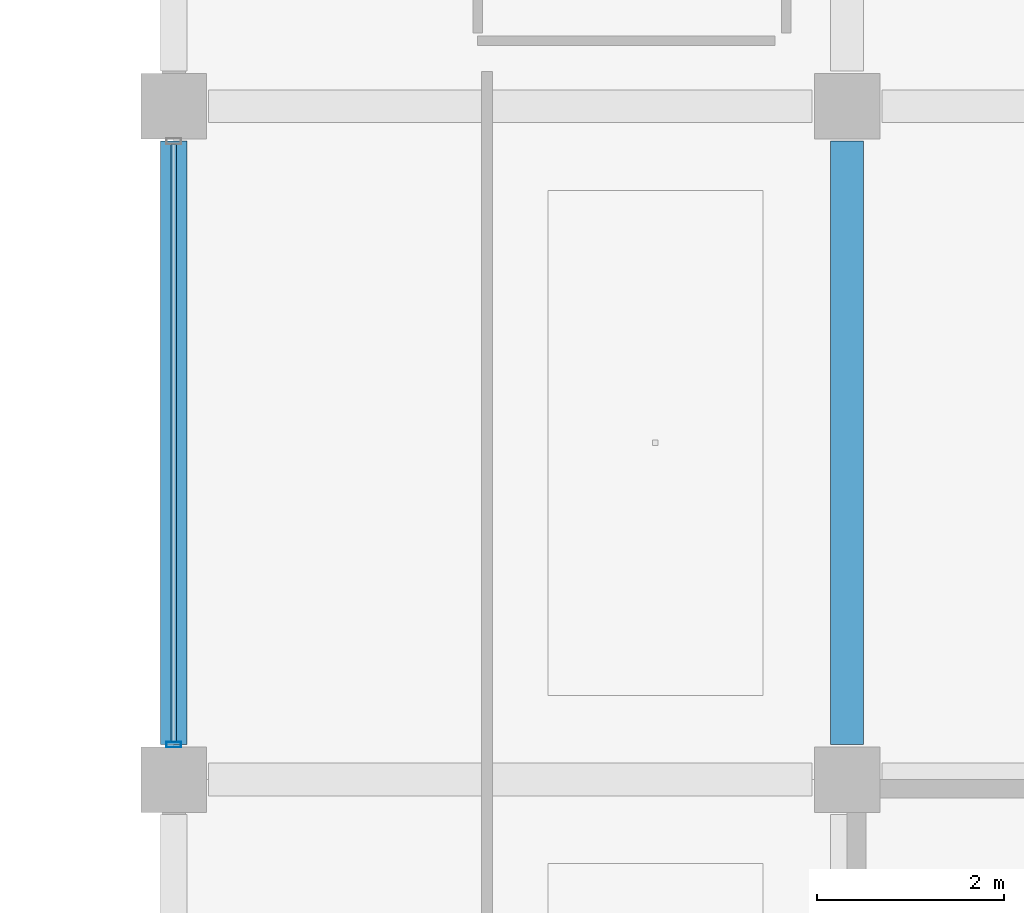
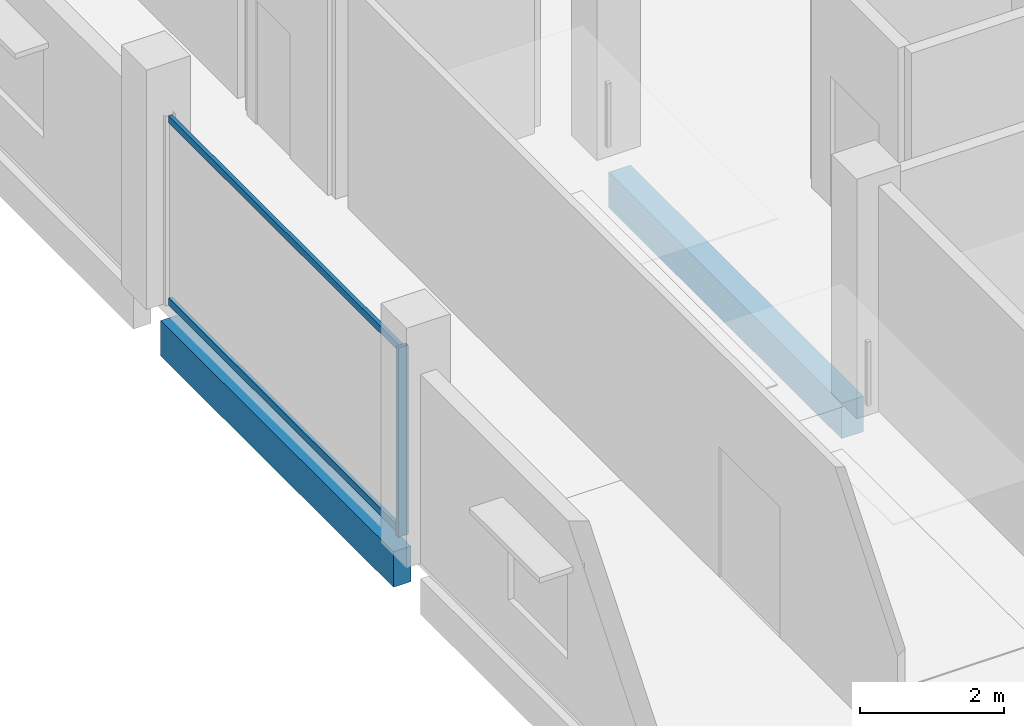
# One storey, part 41 of 91: 3 members, 2 beams, 1 element without a shape of its own.
"""IFC4 building model written with IfcOpenShell, lengths in metres."""

import ifcopenshell
import ifcopenshell.guid

model = None  # the IFC model being written
_history = None  # IfcOwnerHistory: only IFC2X3 demands one
_inside = {}  # id of a spatial element -> (the spatial element, [elements in it])
_under = {}  # id of a project, library or spatial element -> (it, [spatial elements below it])
_declared = {}  # id of a project -> (the project, [libraries it declares])
_typed = {}  # id of a type object -> (the type object, [elements of that type])
_made_of = {}  # id of a material, layer set ... -> (it, [elements and type objects made of it])


def new_model(schema):
    """Start an empty IFC model of exactly this schema.

    Asked for "IFC4X3", IfcOpenShell would pick the latest addendum, in which some entities
    have other attributes; the version numbers below select the first issue.
    IFC2X3 requires an IfcOwnerHistory on every rooted entity: one is made here for all.
    """
    global model, _history
    if schema == "IFC4X3":
        model = ifcopenshell.file(schema_version=(4, 3, 0, 0))
    else:
        model = ifcopenshell.file(schema=schema)
    _inside.clear()
    _under.clear()
    _declared.clear()
    _typed.clear()
    _made_of.clear()
    _history = None
    if model.schema == "IFC2X3":
        org = make("IfcOrganization", Name="unknown")
        user = make(
            "IfcPersonAndOrganization",
            ThePerson=make("IfcPerson", FamilyName="unknown"),
            TheOrganization=org,
        )
        app = make(
            "IfcApplication",
            ApplicationDeveloper=org,
            Version="unknown",
            ApplicationFullName="unknown",
            ApplicationIdentifier="unknown",
        )
        _history = make(
            "IfcOwnerHistory",
            OwningUser=user,
            OwningApplication=app,
            ChangeAction="ADDED",
            CreationDate=0,
        )
    return model


def make(cls, **values):
    """One entity of the class cls with the attributes given. An attribute that is None is left unset."""
    return model.create_entity(
        cls, **{name: value for name, value in values.items() if value is not None}
    )


def rooted(cls, **values):
    """An entity with a GlobalId (a new one), such as an element, a storey or a relation."""
    return make(cls, GlobalId=ifcopenshell.guid.new(), OwnerHistory=_history, **values)


def si_unit(unit_type, name, prefix=None):
    """IfcSIUnit, for example si_unit("LENGTHUNIT", "METRE", prefix="MILLI")."""
    return make("IfcSIUnit", UnitType=unit_type, Prefix=prefix, Name=name)


def assignment(units):
    """IfcUnitAssignment: the units of a project."""
    return None if units is None else make("IfcUnitAssignment", Units=units)


def point(xyz):
    """IfcCartesianPoint."""
    return None if xyz is None else make("IfcCartesianPoint", Coordinates=xyz)


def direction(xyz):
    """IfcDirection."""
    return None if xyz is None else make("IfcDirection", DirectionRatios=xyz)


def frame(location, z_axis=None, x_axis=None):
    """IfcAxis2Placement3D, a coordinate frame: its origin and axes. An axis left out is left unset."""
    return make(
        "IfcAxis2Placement3D",
        Location=point(location),
        Axis=direction(z_axis),
        RefDirection=direction(x_axis),
    )


def frame_2d(location, x_axis=None):
    """IfcAxis2Placement2D, a coordinate frame in the plane: its origin and x axis."""
    return make(
        "IfcAxis2Placement2D", Location=point(location), RefDirection=direction(x_axis)
    )


def origin():
    """The frame at (0, 0, 0) with its axes left unset."""
    return frame((0.0, 0.0, 0.0))


def origin_2d():
    """The frame at (0, 0) in the plane with its x axis left unset."""
    return frame_2d((0.0, 0.0))


def place(relative_to, where):
    """IfcLocalPlacement: puts the frame where relative to a parent placement (None: the world)."""
    return make(
        "IfcLocalPlacement", PlacementRelTo=relative_to, RelativePlacement=where
    )


def context(
    kind, dimensions, precision=None, world=None, true_north=None, identifier=None
):
    """IfcGeometricRepresentationContext, for example the 3D "Model" context."""
    return make(
        "IfcGeometricRepresentationContext",
        ContextIdentifier=identifier,
        ContextType=kind,
        CoordinateSpaceDimension=dimensions,
        Precision=precision,
        WorldCoordinateSystem=world,
        TrueNorth=true_north,
    )


def subcontext(parent, identifier, kind, view, scale=None):
    """IfcGeometricRepresentationSubContext, for example "Body" below "Model"."""
    return make(
        "IfcGeometricRepresentationSubContext",
        ContextIdentifier=identifier,
        ContextType=kind,
        ParentContext=parent,
        TargetScale=scale,
        TargetView=view,
    )


def project(units=None, contexts=None):
    """IfcProject with its units and contexts."""
    return rooted(
        "IfcProject",
        Name="project",
        RepresentationContexts=contexts,
        UnitsInContext=assignment(units),
    )


def spatial(cls, under=None, at=None, **own):
    """A site, building, storey or space (cls), placed at a placement, below another one or the project."""
    s = rooted(cls, ObjectPlacement=at, **own)
    if under is not None:
        _under.setdefault(under.id(), (under, []))[1].append(s)
    return s


def profile(cls, at=None, kind="AREA", **sizes):
    """A parametric profile (cls). Its sizes go by their IFC names, for example OverallWidth=200.0."""
    return make(cls, ProfileType=kind, Position=at, **sizes)


def rectangle(**sizes):
    """IfcRectangleProfileDef."""
    return profile("IfcRectangleProfileDef", **sizes)


def hollow_rectangle(**sizes):
    """IfcRectangleHollowProfileDef."""
    return profile("IfcRectangleHollowProfileDef", **sizes)


def extrude(swept, where, along, depth):
    """IfcExtrudedAreaSolid: the profile swept, set in the frame where, extruded along a direction by depth."""
    return make(
        "IfcExtrudedAreaSolid",
        SweptArea=swept,
        Position=where,
        ExtrudedDirection=direction(along),
        Depth=depth,
    )


def shape(context_of_items, identifier, shape_type, items):
    """IfcShapeRepresentation: the items that make up one representation, for example the "Body"."""
    return make(
        "IfcShapeRepresentation",
        ContextOfItems=context_of_items,
        RepresentationIdentifier=identifier,
        RepresentationType=shape_type,
        Items=items,
    )


def material(Name=None, Category=None):
    """IfcMaterial."""
    return make("IfcMaterial", Name=Name, Category=Category)


def layer(
    of_material, thickness, ventilated=None, Name=None, Category=None, Priority=None
):
    """IfcMaterialLayer: one layer of a wall or slab, of a material (None: an air gap)."""
    return make(
        "IfcMaterialLayer",
        Material=of_material,
        LayerThickness=thickness,
        IsVentilated=ventilated,
        Name=Name,
        Category=Category,
        Priority=Priority,
    )


def layer_set(layers, Name=None):
    """IfcMaterialLayerSet."""
    return make("IfcMaterialLayerSet", MaterialLayers=layers, LayerSetName=Name)


def material_profile(
    of_material, cross_section, Name=None, Category=None, Priority=None
):
    """IfcMaterialProfile: a cross section and its material."""
    return make(
        "IfcMaterialProfile",
        Name=Name,
        Material=of_material,
        Profile=cross_section,
        Priority=Priority,
        Category=Category,
    )


def profile_set(profiles, Name=None, composite=None):
    """IfcMaterialProfileSet."""
    return make(
        "IfcMaterialProfileSet",
        Name=Name,
        MaterialProfiles=profiles,
        CompositeProfile=composite,
    )


def made_of(thing, what):
    """Note that an element or type object is made of a material, layer set ...; save() writes the relation."""
    if what is not None:
        _made_of.setdefault(what.id(), (what, []))[1].append(thing)
    return thing


def type_object(cls, material=None, **own):
    """A type object (cls), such as IfcWallType, which elements share."""
    return made_of(rooted(cls, **own), material)


def element(
    cls,
    number,
    at=None,
    inside=None,
    cuts=None,
    type_object=None,
    material=None,
    context=None,
    identifier="Body",
    shape_type=None,
    held_by="IfcProductDefinitionShape",
    body=None,
    shapes=None,
    **own,
):
    """One element of the class cls, such as IfcWall. Its Tag is "e" and its number.

    at: its placement. inside: the storey or other place that contains it. cuts: it is an
    opening in that element (IfcRelVoidsElement). A single representation is given by context,
    identifier, shape_type and body (its items); several are given by shapes. held_by: the class
    of the entity that holds the representations. save() writes the other relations.
    """
    e = rooted(cls, Tag="e%d" % number, ObjectPlacement=at, **own)
    if body is not None:
        shapes = [shape(context, identifier, shape_type, body)]
    if shapes is not None:
        e.Representation = make(held_by, Representations=shapes)
    if inside is not None:
        _inside.setdefault(inside.id(), (inside, []))[1].append(e)
    if cuts is not None:
        rooted(
            "IfcRelVoidsElement", RelatingBuildingElement=cuts, RelatedOpeningElement=e
        )
    if type_object is not None:
        _typed.setdefault(type_object.id(), (type_object, []))[1].append(e)
    return made_of(e, material)


def aggregate(whole, parts):
    """IfcRelAggregates: a whole, such as a stair, and the parts it consists of."""
    return rooted("IfcRelAggregates", RelatingObject=whole, RelatedObjects=parts)


def save(model, path):
    """Write the relations noted so far, then the file.

    IfcRelAggregates (storeys below a building ...), IfcRelContainedInSpatialStructure (elements
    in a storey), IfcRelDefinesByType, IfcRelAssociatesMaterial and IfcRelDeclares: one each for
    every whole, place, type object, material and project.
    """
    for whole, parts in _under.values():
        aggregate(whole, parts)
    for where, things in _inside.values():
        rooted(
            "IfcRelContainedInSpatialStructure",
            RelatedElements=things,
            RelatingStructure=where,
        )
    for kind, things in _typed.values():
        rooted("IfcRelDefinesByType", RelatedObjects=things, RelatingType=kind)
    for what, things in _made_of.values():
        rooted("IfcRelAssociatesMaterial", RelatedObjects=things, RelatingMaterial=what)
    for by, libraries in _declared.values():
        rooted("IfcRelDeclares", RelatingContext=by, RelatedDefinitions=libraries)
    model.write(path)


model = new_model("IFC4")

# Units and contexts
model_context = context("Model", 3, precision=1e-05, world=origin(), true_north=direction((0.0, 1.0)))
body_context = subcontext(model_context, "Body", "Model", "MODEL_VIEW")
ifc_project = project(units=[si_unit("LENGTHUNIT", "METRE"), si_unit("AREAUNIT", "SQUARE_METRE"), si_unit("VOLUMEUNIT", "CUBIC_METRE"), si_unit("PLANEANGLEUNIT", "RADIAN"), si_unit("MASSUNIT", "GRAM", prefix="KILO")], contexts=[model_context])

# Site, building, storey
site_placement = place(None, origin())
site = spatial("IfcSite", under=ifc_project, at=site_placement, CompositionType="ELEMENT")
building_placement = place(site_placement, origin())
building = spatial("IfcBuilding", under=site, at=building_placement, Name="Kangsadwip Square Police Headquarters", CompositionType="ELEMENT")
storey_placement = place(building_placement, frame((0.0, 0.0, 13.5)))
storey = spatial("IfcBuildingStorey", under=building, at=storey_placement, Name="L03", CompositionType="ELEMENT", Elevation=13.5)

# Curtain wall, members
ifc_material_1 = material(Name="Thermally broken anodised aluminium AW-6063-T6", Category="aluminium")
ifc_layer = layer(ifc_material_1, 0.159912109375)
ifc_layer_set = layer_set([ifc_layer], Name="Thermally broken anodised aluminium AW-6063-T6")
curtain_wall_type = type_object("IfcCurtainWallType", Name="CourtScreen6510x3200", PredefinedType="USERDEFINED", material=ifc_layer_set)
curtain_wall_placement = place(storey_placement, origin())
curtain_wall = element("IfcCurtainWall", 1, at=curtain_wall_placement, inside=storey, type_object=curtain_wall_type, Name="Curtain Wall CW-L03-1440-0651", ObjectType="GLAZED_SCREEN", PredefinedType="USERDEFINED")
ifc_material_2 = material(Name="Thermally broken anodised aluminium AW-6063-T6", Category="aluminium")
ifc_material_profile_1 = material_profile(ifc_material_2, hollow_rectangle(XDim=0.06005859375, YDim=0.159912109375, WallThickness=0.00390625, at=origin_2d()), Name="CWM 160X60X4")
ifc_profile_set_1 = profile_set([ifc_material_profile_1], Name="Thermally broken anodised aluminium AW-6063-T6")
member_type_1 = type_object("IfcMemberType", Name="CwMullion135x60", PredefinedType="MULLION", material=ifc_profile_set_1)
member_1_placement = place(storey_placement, frame((144.0, 65.175048828125, 0.0), z_axis=(0.0, 0.0, 1.0), x_axis=(0.0, 1.0, 0.0)))
member_1 = element("IfcMember", 2, at=member_1_placement, type_object=member_type_1, Name="CW-19 mullion 1", PredefinedType="MULLION", context=body_context, shape_type="SweptSolid", body=[
    extrude(hollow_rectangle(XDim=0.06005859375, YDim=0.159912109375, WallThickness=0.00390625, at=origin_2d()), origin(), (0.0, 0.0, 1.0), 3.199951171875),
])
ifc_material_3 = material(Name="Thermally broken anodised aluminium AW-6063-T6", Category="aluminium")
ifc_material_profile_2 = material_profile(ifc_material_3, hollow_rectangle(XDim=0.06005859375, YDim=0.1201171875, WallThickness=0.00390625, at=origin_2d()), Name="CWT 120X60X4")
ifc_profile_set_2 = profile_set([ifc_material_profile_2], Name="Thermally broken anodised aluminium AW-6063-T6")
member_type_2 = type_object("IfcMemberType", Name="CwTransom120x55", PredefinedType="USERDEFINED", material=ifc_profile_set_2)
member_2_placement = place(storey_placement, frame((144.0, 65.205078125, 0.06005859375), z_axis=(0.0, 1.0, 0.0), x_axis=(-1.0, 0.0, 0.0)))
member_2 = element("IfcMember", 3, at=member_2_placement, type_object=member_type_2, Name="CW-19 transom 1.1", ObjectType="TRANSOM", PredefinedType="USERDEFINED", context=body_context, shape_type="SweptSolid", body=[
    extrude(hollow_rectangle(XDim=0.06005859375, YDim=0.1201171875, WallThickness=0.00390625, at=origin_2d()), origin(), (0.0, 0.0, 1.0), 6.389892578125),
])
member_3_placement = place(storey_placement, frame((144.0, 65.205078125, 3.139892578125), z_axis=(0.0, 1.0, 0.0), x_axis=(-1.0, 0.0, 0.0)))
member_3 = element("IfcMember", 4, at=member_3_placement, type_object=member_type_2, Name="CW-19 transom 1.2", ObjectType="TRANSOM", PredefinedType="USERDEFINED", context=body_context, shape_type="SweptSolid", body=[
    extrude(hollow_rectangle(XDim=0.06005859375, YDim=0.1201171875, WallThickness=0.00390625, at=origin_2d()), origin(), (0.0, 0.0, 1.0), 6.389892578125),
])
aggregate(curtain_wall, [member_1, member_2, member_3])

# Beams
ifc_material_4 = material(Name="Concrete M35 (35 MPa)", Category="concrete")
ifc_material_profile_3 = material_profile(ifc_material_4, rectangle(XDim=0.35009765625, YDim=0.60009765625, at=origin_2d()), Name="RC BM 600X350")
ifc_profile_set_3 = profile_set([ifc_material_profile_3], Name="Concrete M35 (35 MPa)")
beam_type_1 = type_object("IfcBeamType", Name="RcBeam600x350", PredefinedType="BEAM", material=ifc_profile_set_3)
beam_1_placement = place(storey_placement, frame((151.199951171875, 65.175048828125, -0.5400390625), z_axis=(0.0, 1.0, 0.0), x_axis=(-1.0, 0.0, 0.0)))
element("IfcBeam", 5, at=beam_1_placement, inside=storey, type_object=beam_type_1, Name="Beam BM-L03-Y-21-09", PredefinedType="BEAM", context=body_context, shape_type="SweptSolid", body=[
    extrude(rectangle(XDim=0.35009765625, YDim=0.60009765625, at=origin_2d()), origin(), (0.0, 0.0, 1.0), 6.449951171875),
])
ifc_material_5 = material(Name="Concrete M40 (40 MPa)", Category="concrete")
ifc_material_profile_4 = material_profile(ifc_material_5, rectangle(XDim=0.280029296875, YDim=0.60009765625, at=origin_2d()), Name="RC SPN 600X280")
ifc_profile_set_4 = profile_set([ifc_material_profile_4], Name="Concrete M40 (40 MPa)")
beam_type_2 = type_object("IfcBeamType", Name="RcSpandrel600x280", PredefinedType="SPANDREL", material=ifc_profile_set_4)
beam_2_placement = place(storey_placement, frame((144.0, 65.175048828125, -0.5400390625), z_axis=(0.0, 1.0, 0.0), x_axis=(-1.0, 0.0, 0.0)))
element("IfcBeam", 6, at=beam_2_placement, inside=storey, type_object=beam_type_2, Name="Beam BM-L03-Y-20-09", PredefinedType="SPANDREL", context=body_context, shape_type="SweptSolid", body=[
    extrude(rectangle(XDim=0.280029296875, YDim=0.60009765625, at=origin_2d()), origin(), (0.0, 0.0, 1.0), 6.449951171875),
])

save(model, "model.ifc")
